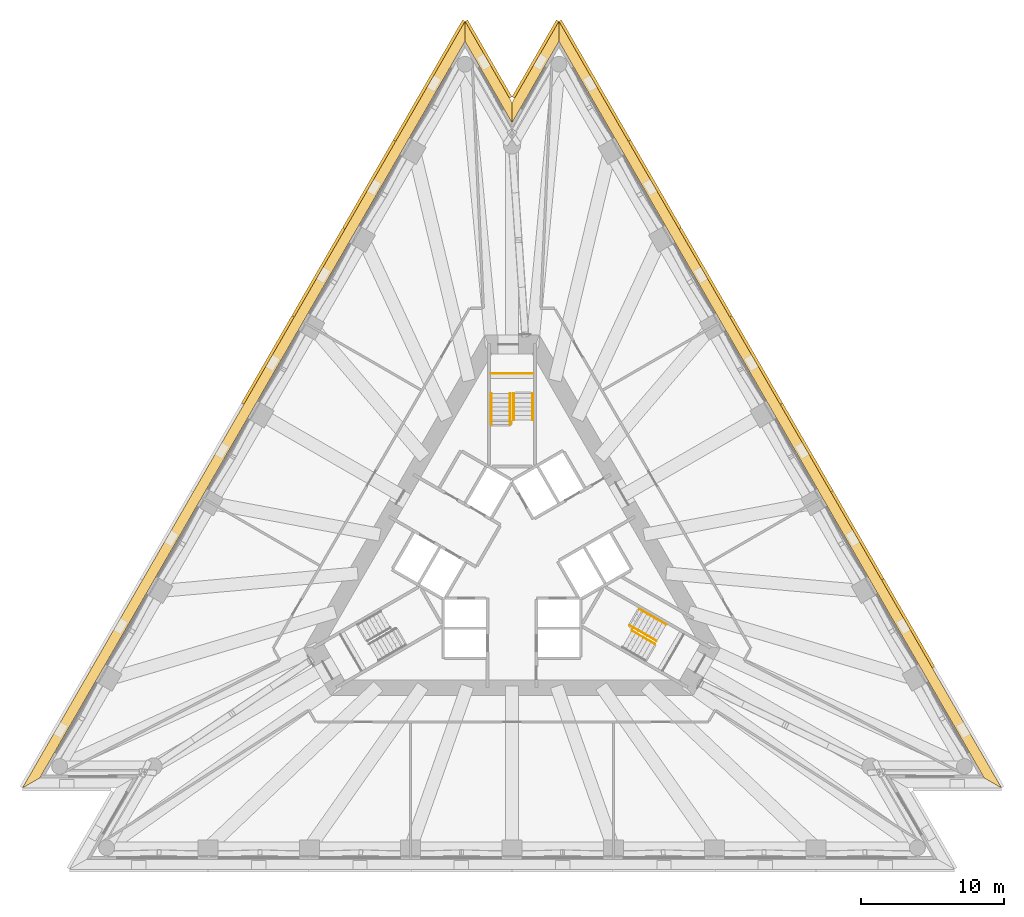
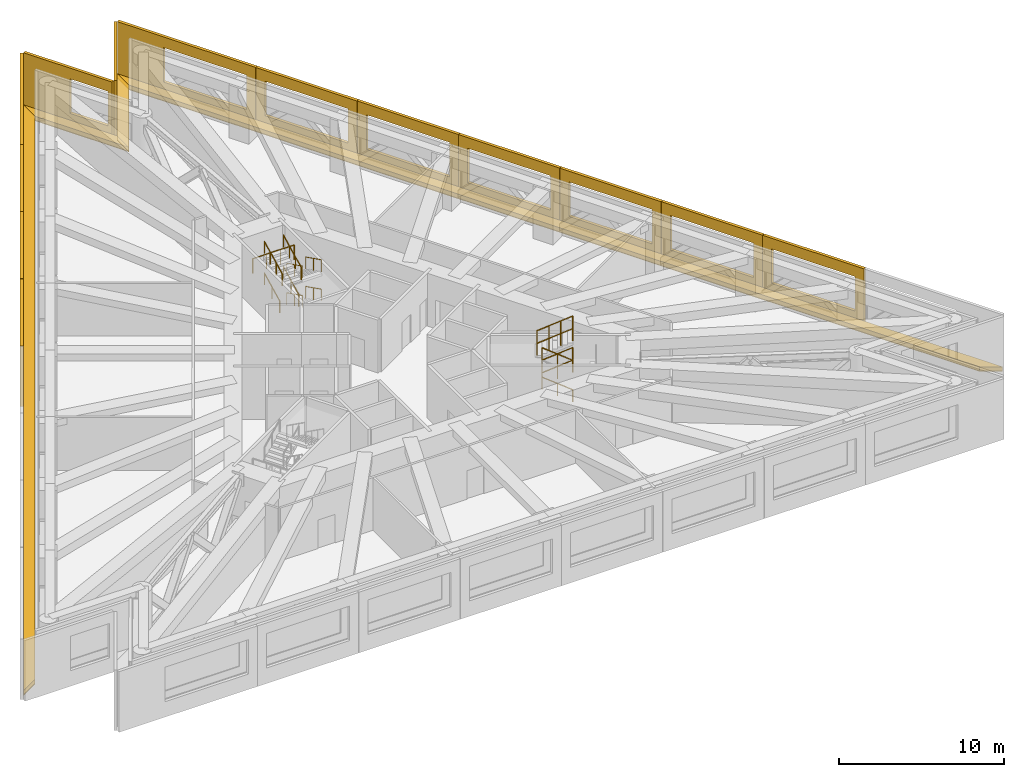
# One storey, part 13 of 13: 17 shading devices, 15 railings, 4 coverings, 2 elements without a shape of their own.
"""IFC4 building model written with IfcOpenShell, lengths in metres."""

from ifc_helpers import new_model, si_unit, direction, frame, origin, origin_2d, place, context, subcontext, project, spatial, polyline, circle, outline, extrude, material, layer, layer_set, layer_usage, type_object, element, aggregate, save


model = new_model("IFC4")

# Units and contexts
model_context = context("Model", 3, precision=1e-05, world=origin(), true_north=direction((0.0, 1.0)))
body_context = subcontext(model_context, "Body", "Model", "MODEL_VIEW")
ifc_project = project(units=[si_unit("LENGTHUNIT", "METRE"), si_unit("AREAUNIT", "SQUARE_METRE"), si_unit("VOLUMEUNIT", "CUBIC_METRE"), si_unit("PLANEANGLEUNIT", "RADIAN"), si_unit("MASSUNIT", "GRAM", prefix="KILO")], contexts=[model_context])

# Site, building, storey
site_placement = place(None, origin())
site = spatial("IfcSite", under=ifc_project, at=site_placement, CompositionType="ELEMENT")
building_placement = place(site_placement, origin())
building = spatial("IfcBuilding", under=site, at=building_placement, Name="Triada Interchange Tower", CompositionType="ELEMENT")
storey_placement = place(building_placement, frame((0.0, 0.0, 95.300048828125)))
storey = spatial("IfcBuildingStorey", under=building, at=storey_placement, Name="L21", CompositionType="ELEMENT", Elevation=95.300048828125)

# Coverings
ifc_material_1 = material(Name="Mineral fire-stop board")
ifc_layer_1 = layer(ifc_material_1, 0.0400390625, Name="Mineral fire-stop board")
ifc_material_2 = material(Name="Intumescent sealant")
ifc_layer_2 = layer(ifc_material_2, 0.010009765625, Name="Intumescent seal")
ifc_layer_set_1 = layer_set([ifc_layer_1, ifc_layer_2], Name="Cavity fire stop")
ifc_layer_usage = layer_usage(ifc_layer_set_1, "AXIS3", "POSITIVE", 0.0)
covering_type = type_object("IfcCoveringType", Name="Cavity fire stop", PredefinedType="INSULATION", material=ifc_layer_set_1)
covering_1_placement = place(storey_placement, origin())
element("IfcCovering", 1, at=covering_1_placement, inside=storey, type_object=covering_type, material=ifc_layer_usage, Name="Cavity fire stop L21 NW", PredefinedType="INSULATION", context=body_context, shape_type="SweptSolid", body=[
    extrude(outline(polyline([(-3.279052734375, 36.194091796875), (-3.279052734375, 37.593994140625), (-34.197021484375, -15.95703125), (-32.985107421875, -15.257080078125), (-3.279052734375, 36.194091796875)])), origin(), (0.0, 0.0, 1.0), 0.050048828125),
])
covering_2_placement = place(storey_placement, origin())
element("IfcCovering", 2, at=covering_2_placement, inside=storey, type_object=covering_type, material=ifc_layer_usage, Name="Cavity fire stop L21 NE", PredefinedType="INSULATION", context=body_context, shape_type="SweptSolid", body=[
    extrude(outline(polyline([(32.985107421875, -15.257080078125), (34.197021484375, -15.95703125), (3.279052734375, 37.593994140625), (3.279052734375, 36.194091796875), (32.985107421875, -15.257080078125)])), origin(), (0.0, 0.0, 1.0), 0.050048828125),
])
covering_3_placement = place(storey_placement, origin())
element("IfcCovering", 3, at=covering_3_placement, inside=storey, type_object=covering_type, material=ifc_layer_usage, Name="Cavity fire stop L21 N-1", PredefinedType="INSULATION", context=body_context, shape_type="SweptSolid", body=[
    extrude(outline(polyline([(3.279052734375, 36.194091796875), (3.279052734375, 37.593994140625), (0.0, 31.9140625), (0.0, 30.513916015625), (3.279052734375, 36.194091796875)])), origin(), (0.0, 0.0, 1.0), 0.050048828125),
])
covering_4_placement = place(storey_placement, origin())
element("IfcCovering", 4, at=covering_4_placement, inside=storey, type_object=covering_type, material=ifc_layer_usage, Name="Cavity fire stop L21 N-2", PredefinedType="INSULATION", context=body_context, shape_type="SweptSolid", body=[
    extrude(outline(polyline([(0.0, 30.513916015625), (0.0, 31.9140625), (-3.279052734375, 37.593994140625), (-3.279052734375, 36.194091796875), (0.0, 30.513916015625)])), origin(), (0.0, 0.0, 1.0), 0.050048828125),
])

# Shading devices
ifc_material_3 = material(Name="Aluminium louvre", Category="aluminium")
shading_device_type_1 = type_object("IfcShadingDeviceType", Name="Cavity louvre grille", PredefinedType="JALOUSIE", material=ifc_material_3)
shading_device_1_placement = place(storey_placement, frame((0.0, 0.0, 0.050048828125)))
element("IfcShadingDevice", 5, at=shading_device_1_placement, inside=storey, type_object=shading_device_type_1, Name="Cavity louvre grille L21 NW", PredefinedType="JALOUSIE", context=body_context, shape_type="SweptSolid", body=[
    extrude(outline(polyline([(-3.279052734375, 36.194091796875), (-3.279052734375, 37.593994140625), (-34.197021484375, -15.95703125), (-32.985107421875, -15.257080078125), (-3.279052734375, 36.194091796875)])), origin(), (0.0, 0.0, 1.0), 0.2998046875),
])
shading_device_2_placement = place(storey_placement, frame((0.0, 0.0, 0.050048828125)))
element("IfcShadingDevice", 6, at=shading_device_2_placement, inside=storey, type_object=shading_device_type_1, Name="Cavity louvre grille L21 NE", PredefinedType="JALOUSIE", context=body_context, shape_type="SweptSolid", body=[
    extrude(outline(polyline([(32.985107421875, -15.257080078125), (34.197021484375, -15.95703125), (3.279052734375, 37.593994140625), (3.279052734375, 36.194091796875), (32.985107421875, -15.257080078125)])), origin(), (0.0, 0.0, 1.0), 0.2998046875),
])
shading_device_3_placement = place(storey_placement, frame((0.0, 0.0, 0.050048828125)))
element("IfcShadingDevice", 7, at=shading_device_3_placement, inside=storey, type_object=shading_device_type_1, Name="Cavity louvre grille L21 N-1", PredefinedType="JALOUSIE", context=body_context, shape_type="SweptSolid", body=[
    extrude(outline(polyline([(3.279052734375, 36.194091796875), (3.279052734375, 37.593994140625), (0.0, 31.9140625), (0.0, 30.513916015625), (3.279052734375, 36.194091796875)])), origin(), (0.0, 0.0, 1.0), 0.2998046875),
])
shading_device_4_placement = place(storey_placement, frame((0.0, 0.0, 0.050048828125)))
element("IfcShadingDevice", 8, at=shading_device_4_placement, inside=storey, type_object=shading_device_type_1, Name="Cavity louvre grille L21 N-2", PredefinedType="JALOUSIE", context=body_context, shape_type="SweptSolid", body=[
    extrude(outline(polyline([(0.0, 30.513916015625), (0.0, 31.9140625), (-3.279052734375, 37.593994140625), (-3.279052734375, 36.194091796875), (0.0, 30.513916015625)])), origin(), (0.0, 0.0, 1.0), 0.2998046875),
])
ifc_material_4 = material(Name="Concrete C50/60 precast", Category="concrete")
ifc_layer_3 = layer(ifc_material_4, 0.02001953125, Name="Exposed aggregate face")
ifc_layer_4 = layer(ifc_material_4, 0.179931640625, Name="Precast concrete screen")
ifc_layer_set_2 = layer_set([ifc_layer_3, ifc_layer_4], Name="Outer skin screen panel 4480")
shading_device_type_2 = type_object("IfcShadingDeviceType", Name="Outer skin screen panel 4480", PredefinedType="SHUTTER", material=ifc_layer_set_2)
shading_device_5_placement = place(storey_placement, frame((-3.283935546875, 37.5849609375, -0.2900390625), z_axis=(0.0, 0.0, 1.0), x_axis=(-0.500010562518, -0.866019305426, 0.0)))
element("IfcShadingDevice", 9, at=shading_device_5_placement, inside=storey, type_object=shading_device_type_2, Name="Outer skin screen panel L21 01", PredefinedType="SHUTTER", context=body_context, shape_type="SweptSolid", body=[
    extrude(outline(polyline([(0.0, 0.0), (9.657958984375, 0.0), (9.657958984375, 4.47998046875), (0.0, 4.47998046875), (0.0, 0.0)]), holes=[polyline([(3.2275390625, 1.139892578125), (3.2275390625, 3.68994140625), (9.027587890625, 3.68994140625), (9.027587890625, 1.139892578125), (3.2275390625, 1.139892578125)])]), frame((0.0, 0.0, 0.0), z_axis=(0.0, -1.0, 0.0), x_axis=(1.0, 0.0, 0.0)), (0.0, 0.0, 1.0), 0.199951171875),
])
for number, where, z_axis, x_axis, name in (
    (10, (-8.123046875, 29.2041015625, -0.2900390625), (0.0, 0.0, 1.0), (-0.500010820671, -0.866019156377, 0.0), "Outer skin screen panel L21 02"),
    (11, (-11.6630859375, 23.072998046875, -0.2900390625), (0.0, 0.0, 1.0), (-0.500010820671, -0.866019156377, 0.0), "Outer skin screen panel L21 03"),
    (12, (-15.202880859375, 16.94091796875, -0.2900390625), (0.0, 0.0, 1.0), (-0.500010820671, -0.866019156377, 0.0), "Outer skin screen panel L21 04"),
):
    element("IfcShadingDevice", number, at=place(storey_placement, frame(where, z_axis=z_axis, x_axis=x_axis)), inside=storey, type_object=shading_device_type_2, Name=name, PredefinedType="SHUTTER", context=body_context, shape_type="SweptSolid", body=[
        extrude(outline(polyline([(0.0, 0.0), (7.059814453125, 0.0), (7.059814453125, 4.47998046875), (0.0, 4.47998046875), (0.0, 0.0)]), holes=[polyline([(0.629638671875, 1.139892578125), (0.629638671875, 3.68994140625), (6.4296875, 3.68994140625), (6.4296875, 1.139892578125), (0.629638671875, 1.139892578125)])]), frame((0.0, 0.0, 0.0), z_axis=(0.0, -1.0, 0.0), x_axis=(1.0, 0.0, 0.0)), (0.0, 0.0, 1.0), 0.199951171875),
    ])
shading_device_6_placement = place(storey_placement, frame((29.35302734375, -7.56689453125, -0.2900390625), z_axis=(0.0, 0.0, 1.0), x_axis=(-0.500010820671, 0.866019156377, 0.0)))
element("IfcShadingDevice", 13, at=shading_device_6_placement, inside=storey, type_object=shading_device_type_2, Name="Outer skin screen panel L21 22", PredefinedType="SHUTTER", context=body_context, shape_type="SweptSolid", body=[
    extrude(outline(polyline([(0.0, 0.0), (7.059814453125, 0.0), (7.059814453125, 4.47998046875), (0.0, 4.47998046875), (0.0, 0.0)]), holes=[polyline([(0.63037109375, 1.139892578125), (0.63037109375, 3.68994140625), (6.430419921875, 3.68994140625), (6.430419921875, 1.139892578125), (0.63037109375, 1.139892578125)])]), frame((0.0, 0.0, 0.0), z_axis=(0.0, -1.0, 0.0), x_axis=(1.0, 0.0, 0.0)), (0.0, 0.0, 1.0), 0.199951171875),
])
shading_device_7_placement = place(storey_placement, frame((25.81298828125, -1.43603515625, -0.2900390625), z_axis=(0.0, 0.0, 1.0), x_axis=(-0.49995092924, 0.866053732947, 0.0)))
element("IfcShadingDevice", 14, at=shading_device_7_placement, inside=storey, type_object=shading_device_type_2, Name="Outer skin screen panel L21 23", PredefinedType="SHUTTER", context=body_context, shape_type="SweptSolid", body=[
    extrude(outline(polyline([(0.0, 0.0), (7.060791015625, 0.0), (7.060791015625, 4.47998046875), (0.0, 4.47998046875), (0.0, 0.0)]), holes=[polyline([(0.63037109375, 1.139892578125), (0.63037109375, 3.68994140625), (6.430419921875, 3.68994140625), (6.430419921875, 1.139892578125), (0.63037109375, 1.139892578125)])]), frame((0.0, 0.0, 0.0), z_axis=(0.0, -1.0, 0.0), x_axis=(1.0, 0.0, 0.0)), (0.0, 0.0, 1.0), 0.199951171875),
])
for number, where, z_axis, x_axis, name in (
    (15, (22.27294921875, 4.696044921875, -0.2900390625), (0.0, 0.0, 1.0), (-0.500010820671, 0.866019156377, 0.0), "Outer skin screen panel L21 24"),
    (16, (18.73291015625, 10.826904296875, -0.2900390625), (0.0, 0.0, 1.0), (-0.500010820671, 0.866019156377, 0.0), "Outer skin screen panel L21 25"),
):
    element("IfcShadingDevice", number, at=place(storey_placement, frame(where, z_axis=z_axis, x_axis=x_axis)), inside=storey, type_object=shading_device_type_2, Name=name, PredefinedType="SHUTTER", context=body_context, shape_type="SweptSolid", body=[
        extrude(outline(polyline([(0.0, 0.0), (7.059814453125, 0.0), (7.059814453125, 4.47998046875), (0.0, 4.47998046875), (0.0, 0.0)]), holes=[polyline([(0.62939453125, 1.139892578125), (0.62939453125, 3.68994140625), (6.429443359375, 3.68994140625), (6.429443359375, 1.139892578125), (0.62939453125, 1.139892578125)])]), frame((0.0, 0.0, 0.0), z_axis=(0.0, -1.0, 0.0), x_axis=(1.0, 0.0, 0.0)), (0.0, 0.0, 1.0), 0.199951171875),
    ])
for number, where, z_axis, x_axis, name in (
    (17, (15.193115234375, 16.958984375, -0.2900390625), (0.0, 0.0, 1.0), (-0.500010820671, 0.866019156377, 0.0), "Outer skin screen panel L21 26"),
    (18, (11.653076171875, 23.090087890625, -0.2900390625), (0.0, 0.0, 1.0), (-0.500010820671, 0.866019156377, 0.0), "Outer skin screen panel L21 27"),
):
    element("IfcShadingDevice", number, at=place(storey_placement, frame(where, z_axis=z_axis, x_axis=x_axis)), inside=storey, type_object=shading_device_type_2, Name=name, PredefinedType="SHUTTER", context=body_context, shape_type="SweptSolid", body=[
        extrude(outline(polyline([(0.0, 0.0), (7.059814453125, 0.0), (7.059814453125, 4.47998046875), (0.0, 4.47998046875), (0.0, 0.0)]), holes=[polyline([(0.629638671875, 1.139892578125), (0.629638671875, 3.68994140625), (6.4296875, 3.68994140625), (6.4296875, 1.139892578125), (0.629638671875, 1.139892578125)])]), frame((0.0, 0.0, 0.0), z_axis=(0.0, -1.0, 0.0), x_axis=(1.0, 0.0, 0.0)), (0.0, 0.0, 1.0), 0.199951171875),
    ])
shading_device_8_placement = place(storey_placement, frame((8.113037109375, 29.220947265625, -0.2900390625), z_axis=(0.0, 0.0, 1.0), x_axis=(-0.500010562518, 0.866019305426, 0.0)))
element("IfcShadingDevice", 19, at=shading_device_8_placement, inside=storey, type_object=shading_device_type_2, Name="Outer skin screen panel L21 28", PredefinedType="SHUTTER", context=body_context, shape_type="SweptSolid", body=[
    extrude(outline(polyline([(0.0, 0.0), (9.657958984375, 0.0), (9.657958984375, 4.47998046875), (0.0, 4.47998046875), (0.0, 0.0)]), holes=[polyline([(0.629638671875, 1.139892578125), (0.629638671875, 3.68994140625), (6.4296875, 3.68994140625), (6.4296875, 1.139892578125), (0.629638671875, 1.139892578125)])]), frame((0.0, 0.0, 0.0), z_axis=(0.0, -1.0, 0.0), x_axis=(1.0, 0.0, 0.0)), (0.0, 0.0, 1.0), 0.199951171875),
])
shading_device_9_placement = place(storey_placement, frame((3.27392578125, 37.5849609375, -0.2900390625), z_axis=(0.0, 0.0, 1.0), x_axis=(-0.500019400846, -0.866014202411, 0.0)))
element("IfcShadingDevice", 20, at=shading_device_9_placement, inside=storey, type_object=shading_device_type_2, Name="Outer skin screen panel L21 29", PredefinedType="SHUTTER", context=body_context, shape_type="SweptSolid", body=[
    extrude(outline(polyline([(0.0, 0.0), (6.191650390625, 0.0), (6.191650390625, 4.47998046875), (0.0, 4.47998046875), (0.0, 0.0)]), holes=[polyline([(3.175537109375, 1.139892578125), (3.175537109375, 3.68994140625), (5.89208984375, 3.68994140625), (5.89208984375, 1.139892578125), (3.175537109375, 1.139892578125)])]), frame((0.0, 0.0, 0.0), z_axis=(0.0, -1.0, 0.0), x_axis=(1.0, 0.0, 0.0)), (0.0, 0.0, 1.0), 0.199951171875),
])
shading_device_10_placement = place(storey_placement, frame((-0.177978515625, 32.222900390625, -0.2900390625), z_axis=(0.0, 0.0, 1.0), x_axis=(-0.500019400846, 0.866014202411, 0.0)))
element("IfcShadingDevice", 21, at=shading_device_10_placement, inside=storey, type_object=shading_device_type_2, Name="Outer skin screen panel L21 30", PredefinedType="SHUTTER", context=body_context, shape_type="SweptSolid", body=[
    extrude(outline(polyline([(0.0, 0.0), (6.191650390625, 0.0), (6.191650390625, 4.47998046875), (0.0, 4.47998046875), (0.0, 0.0)]), holes=[polyline([(0.300048828125, 1.139892578125), (0.300048828125, 3.68994140625), (2.9580078125, 3.68994140625), (2.9580078125, 1.139892578125), (0.300048828125, 1.139892578125)])]), frame((0.0, 0.0, 0.0), z_axis=(0.0, -1.0, 0.0), x_axis=(1.0, 0.0, 0.0)), (0.0, 0.0, 1.0), 0.199951171875),
])

# Stair, railings
ifc_material_5 = material(Name="Concrete C35/45", Category="concrete")
stair_type = type_object("IfcStairType", Name="HALF TURN STAIR 1400", PredefinedType="HALF_TURN_STAIR", material=ifc_material_5)
stair_1_placement = place(storey_placement, origin())
stair_1 = element("IfcStair", 22, at=stair_1_placement, inside=storey, type_object=stair_type, Name="Exit stair S21-1", PredefinedType="HALF_TURN_STAIR")
ifc_material_6 = material(Name="Stainless steel 1.4301", Category="steel")
railing_type_1 = type_object("IfcRailingType", Name="STAIR GUARD 1100", PredefinedType="GUARDRAIL", material=ifc_material_6)
railing_1_placement = place(storey_placement, frame((1.449951171875, 13.0, 2.17236328125)))
railing_1 = element("IfcRailing", 23, at=railing_1_placement, type_object=railing_type_1, Name="Guard S21-1 1", PredefinedType="GUARDRAIL", context=body_context, shape_type="SweptSolid", body=[
    extrude(circle(Radius=0.02392578125, at=origin_2d()), frame((0.0, 0.0, 1.076171875), z_axis=(-1.0, 0.0, 0.0), x_axis=(0.0, -1.0, 0.0)), (0.0, 0.0, 1.0), 2.89990234375),
    extrude(circle(Radius=0.02099609375, at=origin_2d()), origin(), (0.0, 0.0, 1.0), 1.052001953125),
    extrude(circle(Radius=0.02099609375, at=origin_2d()), frame((-0.966552734375, 0.0, 0.0)), (0.0, 0.0, 1.0), 1.052001953125),
    extrude(circle(Radius=0.02099609375, at=origin_2d()), frame((-1.933349609375, 0.0, 0.0)), (0.0, 0.0, 1.0), 1.052001953125),
    extrude(circle(Radius=0.02099609375, at=origin_2d()), frame((-2.89990234375, 0.0, 0.0)), (0.0, 0.0, 1.0), 1.052001953125),
])
railing_type_2 = type_object("IfcRailingType", Name="STAIR HANDRAIL 900", PredefinedType="HANDRAIL", material=ifc_material_6)
railing_2_placement = place(storey_placement, frame((1.449951171875, 11.60009765625, 0.155029296875)))
railing_2 = element("IfcRailing", 24, at=railing_2_placement, type_object=railing_type_2, Name="Handrail S21-1 1W", PredefinedType="HANDRAIL", context=body_context, shape_type="SweptSolid", body=[
    extrude(circle(Radius=0.02392578125, at=origin_2d()), frame((0.0, 0.0, 0.8759765625), z_axis=(0.0, -0.894215831392, 0.447636065222), x_axis=(1.0, 0.0, 0.0)), (0.0, 0.0, 1.0), 2.080078125),
    extrude(circle(Radius=0.02099609375, at=origin_2d()), origin(), (0.0, 0.0, 1.0), 0.851806640625),
    extrude(circle(Radius=0.02099609375, at=origin_2d()), frame((0.0, -0.93017578125, 0.465576171875)), (0.0, 0.0, 1.0), 0.851806640625),
    extrude(circle(Radius=0.02099609375, at=origin_2d()), frame((0.0, -1.860107421875, 0.93115234375)), (0.0, 0.0, 1.0), 0.851806640625),
])
railing_3_placement = place(storey_placement, frame((0.1201171875, 11.60009765625, 0.155029296875)))
railing_3 = element("IfcRailing", 25, at=railing_3_placement, type_object=railing_type_2, Name="Handrail S21-1 1C", PredefinedType="HANDRAIL", context=body_context, shape_type="SweptSolid", body=[
    extrude(circle(Radius=0.02392578125, at=origin_2d()), frame((0.0, 0.0, 0.8759765625), z_axis=(0.0, -0.894215831392, 0.447636065222), x_axis=(1.0, 0.0, 0.0)), (0.0, 0.0, 1.0), 2.080078125),
    extrude(circle(Radius=0.02099609375, at=origin_2d()), origin(), (0.0, 0.0, 1.0), 0.851806640625),
    extrude(circle(Radius=0.02099609375, at=origin_2d()), frame((0.0, -0.93017578125, 0.465576171875)), (0.0, 0.0, 1.0), 0.851806640625),
    extrude(circle(Radius=0.02099609375, at=origin_2d()), frame((0.0, -1.860107421875, 0.93115234375)), (0.0, 0.0, 1.0), 0.851806640625),
])
railing_4_placement = place(storey_placement, frame((-1.449951171875, 9.739990234375, 1.241455078125)))
railing_4 = element("IfcRailing", 26, at=railing_4_placement, type_object=railing_type_2, Name="Handrail S21-1 2W", PredefinedType="HANDRAIL", context=body_context, shape_type="SweptSolid", body=[
    extrude(circle(Radius=0.02392578125, at=origin_2d()), frame((0.0, 0.0, 0.8759765625), z_axis=(0.0, 0.894262808804, 0.447542208947), x_axis=(-1.0, 0.0, 0.0)), (0.0, 0.0, 1.0), 2.080078125),
    extrude(circle(Radius=0.02099609375, at=origin_2d()), origin(), (0.0, 0.0, 1.0), 0.851806640625),
    extrude(circle(Radius=0.02099609375, at=origin_2d()), frame((0.0, 0.93017578125, 0.46533203125)), (0.0, 0.0, 1.0), 0.851806640625),
    extrude(circle(Radius=0.02099609375, at=origin_2d()), frame((0.0, 1.860107421875, 0.930908203125)), (0.0, 0.0, 1.0), 0.851806640625),
])
railing_5_placement = place(storey_placement, frame((-0.1201171875, 9.739990234375, 1.241455078125)))
railing_5 = element("IfcRailing", 27, at=railing_5_placement, type_object=railing_type_2, Name="Handrail S21-1 2C", PredefinedType="HANDRAIL", context=body_context, shape_type="SweptSolid", body=[
    extrude(circle(Radius=0.02392578125, at=origin_2d()), frame((0.0, 0.0, 0.8759765625), z_axis=(0.0, 0.894262808804, 0.447542208947), x_axis=(-1.0, 0.0, 0.0)), (0.0, 0.0, 1.0), 2.080078125),
    extrude(circle(Radius=0.02099609375, at=origin_2d()), origin(), (0.0, 0.0, 1.0), 0.851806640625),
    extrude(circle(Radius=0.02099609375, at=origin_2d()), frame((0.0, 0.93017578125, 0.46533203125)), (0.0, 0.0, 1.0), 0.851806640625),
    extrude(circle(Radius=0.02099609375, at=origin_2d()), frame((0.0, 1.860107421875, 0.930908203125)), (0.0, 0.0, 1.0), 0.851806640625),
])
railing_6_placement = place(storey_placement, frame((1.449951171875, 11.60009765625, 2.32763671875)))
railing_6 = element("IfcRailing", 28, at=railing_6_placement, type_object=railing_type_2, Name="Handrail S21-1 3W", PredefinedType="HANDRAIL", context=body_context, shape_type="SweptSolid", body=[
    extrude(circle(Radius=0.02392578125, at=origin_2d()), frame((0.0, 0.0, 0.8759765625), z_axis=(0.0, -0.894262808804, 0.447542208947), x_axis=(1.0, 0.0, 0.0)), (0.0, 0.0, 1.0), 2.080078125),
    extrude(circle(Radius=0.02099609375, at=origin_2d()), origin(), (0.0, 0.0, 1.0), 0.851806640625),
    extrude(circle(Radius=0.02099609375, at=origin_2d()), frame((0.0, -0.93017578125, 0.46533203125)), (0.0, 0.0, 1.0), 0.851806640625),
    extrude(circle(Radius=0.02099609375, at=origin_2d()), frame((0.0, -1.860107421875, 0.930908203125)), (0.0, 0.0, 1.0), 0.851806640625),
])
railing_7_placement = place(storey_placement, frame((0.1201171875, 11.60009765625, 2.32763671875)))
railing_7 = element("IfcRailing", 29, at=railing_7_placement, type_object=railing_type_2, Name="Handrail S21-1 3C", PredefinedType="HANDRAIL", context=body_context, shape_type="SweptSolid", body=[
    extrude(circle(Radius=0.02392578125, at=origin_2d()), frame((0.0, 0.0, 0.8759765625), z_axis=(0.0, -0.894262808804, 0.447542208947), x_axis=(1.0, 0.0, 0.0)), (0.0, 0.0, 1.0), 2.080078125),
    extrude(circle(Radius=0.02099609375, at=origin_2d()), origin(), (0.0, 0.0, 1.0), 0.851806640625),
    extrude(circle(Radius=0.02099609375, at=origin_2d()), frame((0.0, -0.93017578125, 0.46533203125)), (0.0, 0.0, 1.0), 0.851806640625),
    extrude(circle(Radius=0.02099609375, at=origin_2d()), frame((0.0, -1.860107421875, 0.930908203125)), (0.0, 0.0, 1.0), 0.851806640625),
])
railing_8_placement = place(storey_placement, frame((-1.449951171875, 9.429931640625, 3.413818359375)))
railing_8 = element("IfcRailing", 30, at=railing_8_placement, type_object=railing_type_2, Name="Handrail S21-1 4W", PredefinedType="HANDRAIL", context=body_context, shape_type="SweptSolid", body=[
    extrude(circle(Radius=0.02392578125, at=origin_2d()), frame((0.0, 0.0, 0.8759765625), z_axis=(0.0, 0.894246035119, 0.447575723956), x_axis=(-1.0, 0.0, 0.0)), (0.0, 0.0, 1.0), 2.4267578125),
    extrude(circle(Radius=0.02099609375, at=origin_2d()), origin(), (0.0, 0.0, 1.0), 0.851806640625),
    extrude(circle(Radius=0.02099609375, at=origin_2d()), frame((0.0, 0.723388671875, 0.362060546875)), (0.0, 0.0, 1.0), 0.851806640625),
    extrude(circle(Radius=0.02099609375, at=origin_2d()), frame((0.0, 1.44677734375, 0.72412109375)), (0.0, 0.0, 1.0), 0.851806640625),
    extrude(circle(Radius=0.02099609375, at=origin_2d()), frame((0.0, 2.170166015625, 1.086181640625)), (0.0, 0.0, 1.0), 0.851806640625),
])
railing_9_placement = place(storey_placement, frame((-0.1201171875, 9.429931640625, 3.413818359375)))
railing_9 = element("IfcRailing", 31, at=railing_9_placement, type_object=railing_type_2, Name="Handrail S21-1 4C", PredefinedType="HANDRAIL", context=body_context, shape_type="SweptSolid", body=[
    extrude(circle(Radius=0.02392578125, at=origin_2d()), frame((0.0, 0.0, 0.8759765625), z_axis=(0.0, 0.894246035119, 0.447575723956), x_axis=(-1.0, 0.0, 0.0)), (0.0, 0.0, 1.0), 2.4267578125),
    extrude(circle(Radius=0.02099609375, at=origin_2d()), origin(), (0.0, 0.0, 1.0), 0.851806640625),
    extrude(circle(Radius=0.02099609375, at=origin_2d()), frame((0.0, 0.723388671875, 0.362060546875)), (0.0, 0.0, 1.0), 0.851806640625),
    extrude(circle(Radius=0.02099609375, at=origin_2d()), frame((0.0, 1.44677734375, 0.72412109375)), (0.0, 0.0, 1.0), 0.851806640625),
    extrude(circle(Radius=0.02099609375, at=origin_2d()), frame((0.0, 2.170166015625, 1.086181640625)), (0.0, 0.0, 1.0), 0.851806640625),
])
aggregate(stair_1, [railing_2, railing_3, railing_4, railing_5, railing_6, railing_7, railing_8, railing_9, railing_1])

stair_2_placement = place(storey_placement, origin())
stair_2 = element("IfcStair", 32, at=stair_2_placement, inside=storey, type_object=stair_type, Name="Exit stair S21-3", PredefinedType="HALF_TURN_STAIR")
railing_10_placement = place(storey_placement, frame((9.986083984375, -5.904052734375, 0.155029296875)))
railing_10 = element("IfcRailing", 33, at=railing_10_placement, type_object=railing_type_2, Name="Handrail S21-3 1C", PredefinedType="HANDRAIL", context=body_context, shape_type="SweptSolid", body=[
    extrude(circle(Radius=0.02392578125, at=origin_2d()), frame((0.0, 0.0, 0.8759765625), z_axis=(-0.774469289278, 0.447030386856, 0.447617194925), x_axis=(-0.499908018857, -0.866078502609, 0.0)), (0.0, 0.0, 1.0), 2.080322265625),
    extrude(circle(Radius=0.02099609375, at=origin_2d()), origin(), (0.0, 0.0, 1.0), 0.851806640625),
    extrude(circle(Radius=0.02099609375, at=origin_2d()), frame((-0.8056640625, 0.46484375, 0.465576171875)), (0.0, 0.0, 1.0), 0.851806640625),
    extrude(circle(Radius=0.02099609375, at=origin_2d()), frame((-1.611083984375, 0.929931640625, 0.93115234375)), (0.0, 0.0, 1.0), 0.851806640625),
])
railing_11_placement = place(storey_placement, frame((9.159912109375, -3.614013671875, 1.241455078125)))
railing_11 = element("IfcRailing", 34, at=railing_11_placement, type_object=railing_type_2, Name="Handrail S21-3 2W", PredefinedType="HANDRAIL", context=body_context, shape_type="SweptSolid", body=[
    extrude(circle(Radius=0.02392578125, at=origin_2d()), frame((0.0, 0.0, 0.8759765625), z_axis=(0.774509972404, -0.447053869509, 0.447523340624), x_axis=(0.499908018857, 0.866078502609, 0.0)), (0.0, 0.0, 1.0), 2.080078125),
    extrude(circle(Radius=0.02099609375, at=origin_2d()), origin(), (0.0, 0.0, 1.0), 0.851806640625),
    extrude(circle(Radius=0.02099609375, at=origin_2d()), frame((0.8056640625, -0.46484375, 0.46533203125)), (0.0, 0.0, 1.0), 0.851806640625),
    extrude(circle(Radius=0.02099609375, at=origin_2d()), frame((1.611083984375, -0.929931640625, 0.930908203125)), (0.0, 0.0, 1.0), 0.851806640625),
])
railing_12_placement = place(storey_placement, frame((8.4951171875, -4.76611328125, 1.241455078125)))
railing_12 = element("IfcRailing", 35, at=railing_12_placement, type_object=railing_type_2, Name="Handrail S21-3 2C", PredefinedType="HANDRAIL", context=body_context, shape_type="SweptSolid", body=[
    extrude(circle(Radius=0.02392578125, at=origin_2d()), frame((0.0, 0.0, 0.8759765625), z_axis=(0.774463003126, -0.447094510292, 0.447564024086), x_axis=(0.499964847546, 0.866045698112, 0.0)), (0.0, 0.0, 1.0), 2.079833984375),
    extrude(circle(Radius=0.02099609375, at=origin_2d()), origin(), (0.0, 0.0, 1.0), 0.851806640625),
    extrude(circle(Radius=0.02099609375, at=origin_2d()), frame((0.805419921875, -0.46484375, 0.46533203125)), (0.0, 0.0, 1.0), 0.851806640625),
    extrude(circle(Radius=0.02099609375, at=origin_2d()), frame((1.61083984375, -0.929931640625, 0.930908203125)), (0.0, 0.0, 1.0), 0.851806640625),
])
railing_13_placement = place(storey_placement, frame((9.986083984375, -5.904052734375, 2.32763671875)))
railing_13 = element("IfcRailing", 36, at=railing_13_placement, type_object=railing_type_2, Name="Handrail S21-3 3C", PredefinedType="HANDRAIL", context=body_context, shape_type="SweptSolid", body=[
    extrude(circle(Radius=0.02392578125, at=origin_2d()), frame((0.0, 0.0, 0.8759765625), z_axis=(-0.774509972404, 0.447053869509, 0.447523340624), x_axis=(-0.499908018857, -0.866078502609, 0.0)), (0.0, 0.0, 1.0), 2.080078125),
    extrude(circle(Radius=0.02099609375, at=origin_2d()), origin(), (0.0, 0.0, 1.0), 0.851806640625),
    extrude(circle(Radius=0.02099609375, at=origin_2d()), frame((-0.8056640625, 0.46484375, 0.46533203125)), (0.0, 0.0, 1.0), 0.851806640625),
    extrude(circle(Radius=0.02099609375, at=origin_2d()), frame((-1.611083984375, 0.929931640625, 0.930908203125)), (0.0, 0.0, 1.0), 0.851806640625),
])
railing_14_placement = place(storey_placement, frame((8.89208984375, -3.458984375, 3.413818359375)))
railing_14 = element("IfcRailing", 37, at=railing_14_placement, type_object=railing_type_2, Name="Handrail S21-3 4W", PredefinedType="HANDRAIL", context=body_context, shape_type="SweptSolid", body=[
    extrude(circle(Radius=0.02392578125, at=origin_2d()), frame((0.0, 0.0, 0.8759765625), z_axis=(0.774372634864, -0.44715592377, 0.447659024494), x_axis=(0.500060114735, 0.865990693744, 0.0)), (0.0, 0.0, 1.0), 2.42626953125),
    extrude(circle(Radius=0.02099609375, at=origin_2d()), origin(), (0.0, 0.0, 1.0), 0.851806640625),
    extrude(circle(Radius=0.02099609375, at=origin_2d()), frame((0.626220703125, -0.361572265625, 0.362060546875)), (0.0, 0.0, 1.0), 0.851806640625),
    extrude(circle(Radius=0.02099609375, at=origin_2d()), frame((1.252685546875, -0.723388671875, 0.72412109375)), (0.0, 0.0, 1.0), 0.851806640625),
    extrude(circle(Radius=0.02099609375, at=origin_2d()), frame((1.87890625, -1.0849609375, 1.086181640625)), (0.0, 0.0, 1.0), 0.851806640625),
])
railing_15_placement = place(storey_placement, frame((8.22705078125, -4.611083984375, 3.413818359375)))
railing_15 = element("IfcRailing", 38, at=railing_15_placement, type_object=railing_type_2, Name="Handrail S21-3 4C", PredefinedType="HANDRAIL", context=body_context, shape_type="SweptSolid", body=[
    extrude(circle(Radius=0.02392578125, at=origin_2d()), frame((0.0, 0.0, 0.8759765625), z_axis=(0.774372634864, -0.44715592377, 0.447659024494), x_axis=(0.500060114735, 0.865990693744, 0.0)), (0.0, 0.0, 1.0), 2.42626953125),
    extrude(circle(Radius=0.02099609375, at=origin_2d()), origin(), (0.0, 0.0, 1.0), 0.851806640625),
    extrude(circle(Radius=0.02099609375, at=origin_2d()), frame((0.626220703125, -0.361572265625, 0.362060546875)), (0.0, 0.0, 1.0), 0.851806640625),
    extrude(circle(Radius=0.02099609375, at=origin_2d()), frame((1.252685546875, -0.723388671875, 0.72412109375)), (0.0, 0.0, 1.0), 0.851806640625),
    extrude(circle(Radius=0.02099609375, at=origin_2d()), frame((1.87890625, -1.0849609375, 1.086181640625)), (0.0, 0.0, 1.0), 0.851806640625),
])
aggregate(stair_2, [railing_10, railing_11, railing_12, railing_13, railing_14, railing_15])

save(model, "model.ifc")
